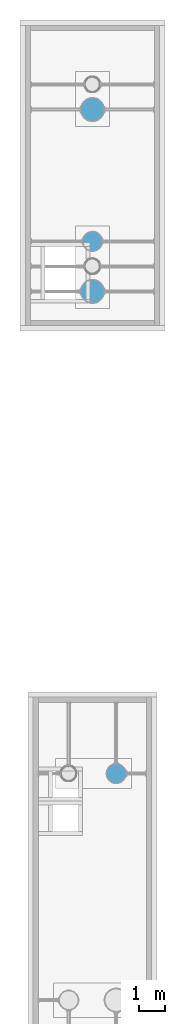
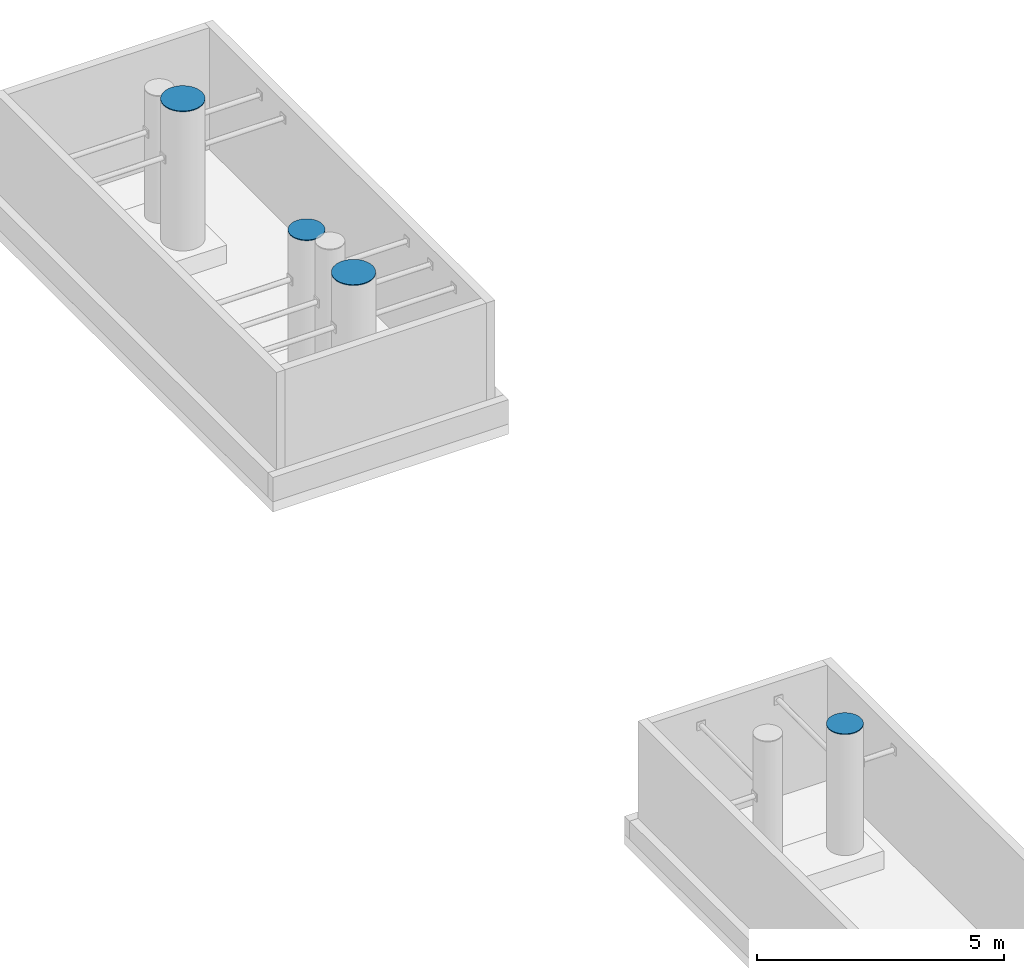
# One storey, part 4 of 7: 4 discrete accessories.
"""IFC4 building model written with IfcOpenShell, lengths in metres."""

from ifc_helpers import new_model, si_unit, direction, frame, origin, place, context, subcontext, project, spatial, polyline, outline, extrude, material, type_object, element, save


model = new_model("IFC4")

# Units and contexts
model_context = context("Model", 3, precision=1e-05, world=origin(), true_north=direction((0.0, 1.0)))
body_context = subcontext(model_context, "Body", "Model", "MODEL_VIEW")
ifc_project = project(units=[si_unit("LENGTHUNIT", "METRE"), si_unit("AREAUNIT", "SQUARE_METRE"), si_unit("VOLUMEUNIT", "CUBIC_METRE"), si_unit("PLANEANGLEUNIT", "RADIAN"), si_unit("MASSUNIT", "GRAM", prefix="KILO")], contexts=[model_context])

# Site, building, storey
site_placement = place(None, origin())
site = spatial("IfcSite", under=ifc_project, at=site_placement, CompositionType="ELEMENT")
building_placement = place(site_placement, origin())
building = spatial("IfcBuilding", under=site, at=building_placement, Name="Basin Gate Institute", CompositionType="ELEMENT")
storey_placement = place(building_placement, frame((0.0, 0.0, 78.60009765625)))
storey = spatial("IfcBuildingStorey", under=building, at=storey_placement, Name="UPPER ROOF", CompositionType="ELEMENT", Elevation=78.60009765625)

# Discrete accessories
ifc_material_1 = material(Name="Structural steel SN490", Category="steel")
discrete_accessory_type_1 = type_object("IfcDiscreteAccessoryType", Name="Exhaust pipe cap plate PC750", PredefinedType="BRACKET", material=ifc_material_1)
discrete_accessory_1_placement = place(storey_placement, frame((0.0, 0.0, 3.679931640625)))
element("IfcDiscreteAccessory", 1, at=discrete_accessory_1_placement, inside=storey, type_object=discrete_accessory_type_1, material=ifc_material_1, Name="Exhaust pipe EX2 WM 4 cap plate", PredefinedType="BRACKET", context=body_context, shape_type="SweptSolid", body=[
    extrude(outline(polyline([(64.72509765625, 71.800048828125), (64.7177734375, 71.873291015625), (64.696533203125, 71.943603515625), (64.661865234375, 72.00830078125), (64.615234375, 72.065185546875), (64.558349609375, 72.11181640625), (64.493408203125, 72.146484375), (64.423095703125, 72.167724609375), (64.35009765625, 72.175048828125), (64.27685546875, 72.167724609375), (64.20654296875, 72.146484375), (64.1416015625, 72.11181640625), (64.084716796875, 72.065185546875), (64.0380859375, 72.00830078125), (64.00341796875, 71.943603515625), (63.982177734375, 71.873291015625), (63.97509765625, 71.800048828125), (63.982177734375, 71.726806640625), (64.00341796875, 71.656494140625), (64.0380859375, 71.591796875), (64.084716796875, 71.534912109375), (64.1416015625, 71.48828125), (64.20654296875, 71.45361328125), (64.27685546875, 71.43212890625), (64.35009765625, 71.425048828125), (64.423095703125, 71.43212890625), (64.493408203125, 71.45361328125), (64.558349609375, 71.48828125), (64.615234375, 71.534912109375), (64.661865234375, 71.591796875), (64.696533203125, 71.656494140625), (64.7177734375, 71.726806640625), (64.72509765625, 71.800048828125)])), origin(), (0.0, 0.0, 1.0), 0.02001953125),
])
discrete_accessory_2_placement = place(storey_placement, frame((0.0, 0.0, 3.929931640625)))
element("IfcDiscreteAccessory", 2, at=discrete_accessory_2_placement, inside=storey, type_object=discrete_accessory_type_1, material=ifc_material_1, Name="Exhaust pipe EX2 WN 3 cap plate", PredefinedType="BRACKET", context=body_context, shape_type="SweptSolid", body=[
    extrude(outline(polyline([(63.824951171875, 92.0), (63.81787109375, 92.0732421875), (63.79638671875, 92.1435546875), (63.76171875, 92.208251953125), (63.715087890625, 92.26513671875), (63.658203125, 92.311767578125), (63.593505859375, 92.346435546875), (63.523193359375, 92.367919921875), (63.449951171875, 92.375), (63.376708984375, 92.367919921875), (63.306396484375, 92.346435546875), (63.24169921875, 92.311767578125), (63.184814453125, 92.26513671875), (63.13818359375, 92.208251953125), (63.103515625, 92.1435546875), (63.082275390625, 92.0732421875), (63.074951171875, 92.0), (63.082275390625, 91.9267578125), (63.103515625, 91.8564453125), (63.13818359375, 91.791748046875), (63.184814453125, 91.73486328125), (63.24169921875, 91.688232421875), (63.306396484375, 91.653564453125), (63.376708984375, 91.632080078125), (63.449951171875, 91.625), (63.523193359375, 91.632080078125), (63.593505859375, 91.653564453125), (63.658203125, 91.688232421875), (63.715087890625, 91.73486328125), (63.76171875, 91.791748046875), (63.79638671875, 91.8564453125), (63.81787109375, 91.9267578125), (63.824951171875, 92.0)])), origin(), (0.0, 0.0, 1.0), 0.02001953125),
])
ifc_material_2 = material(Name="Structural steel SN490", Category="steel")
discrete_accessory_type_2 = type_object("IfcDiscreteAccessoryType", Name="Exhaust pipe cap plate PC900", PredefinedType="BRACKET", material=ifc_material_2)
discrete_accessory_3_placement = place(storey_placement, frame((0.0, 0.0, 4.02978515625)))
element("IfcDiscreteAccessory", 3, at=discrete_accessory_3_placement, inside=storey, type_object=discrete_accessory_type_2, material=ifc_material_2, Name="Exhaust pipe EX3 WN 1 cap plate", PredefinedType="BRACKET", context=body_context, shape_type="SweptSolid", body=[
    extrude(outline(polyline([(63.89990234375, 90.10009765625), (63.891357421875, 90.187744140625), (63.86572265625, 90.272216796875), (63.82421875, 90.35009765625), (63.768310546875, 90.418212890625), (63.699951171875, 90.47412109375), (63.622314453125, 90.515625), (63.537841796875, 90.54150390625), (63.449951171875, 90.550048828125), (63.3623046875, 90.54150390625), (63.27783203125, 90.515625), (63.199951171875, 90.47412109375), (63.1318359375, 90.418212890625), (63.07568359375, 90.35009765625), (63.0341796875, 90.272216796875), (63.008544921875, 90.187744140625), (63.0, 90.10009765625), (63.008544921875, 90.01220703125), (63.0341796875, 89.927734375), (63.07568359375, 89.85009765625), (63.1318359375, 89.78173828125), (63.199951171875, 89.725830078125), (63.27783203125, 89.684326171875), (63.3623046875, 89.65869140625), (63.449951171875, 89.64990234375), (63.537841796875, 89.65869140625), (63.622314453125, 89.684326171875), (63.699951171875, 89.725830078125), (63.768310546875, 89.78173828125), (63.82421875, 89.85009765625), (63.86572265625, 89.927734375), (63.891357421875, 90.01220703125), (63.89990234375, 90.10009765625)])), origin(), (0.0, 0.0, 1.0), 0.02001953125),
])
discrete_accessory_4_placement = place(storey_placement, frame((0.0, 0.0, 4.1298828125)))
element("IfcDiscreteAccessory", 4, at=discrete_accessory_4_placement, inside=storey, type_object=discrete_accessory_type_2, material=ifc_material_2, Name="Exhaust pipe EX3 WN 4 cap plate", PredefinedType="BRACKET", context=body_context, shape_type="SweptSolid", body=[
    extrude(outline(polyline([(63.89990234375, 97.0), (63.891357421875, 97.087890625), (63.86572265625, 97.172119140625), (63.82421875, 97.25), (63.768310546875, 97.318115234375), (63.699951171875, 97.374267578125), (63.622314453125, 97.415771484375), (63.537841796875, 97.44140625), (63.449951171875, 97.449951171875), (63.3623046875, 97.44140625), (63.27783203125, 97.415771484375), (63.199951171875, 97.374267578125), (63.1318359375, 97.318115234375), (63.07568359375, 97.25), (63.0341796875, 97.172119140625), (63.008544921875, 97.087890625), (63.0, 97.0), (63.008544921875, 96.912109375), (63.0341796875, 96.827880859375), (63.07568359375, 96.75), (63.1318359375, 96.681884765625), (63.199951171875, 96.625732421875), (63.27783203125, 96.584228515625), (63.3623046875, 96.55859375), (63.449951171875, 96.550048828125), (63.537841796875, 96.55859375), (63.622314453125, 96.584228515625), (63.699951171875, 96.625732421875), (63.768310546875, 96.681884765625), (63.82421875, 96.75), (63.86572265625, 96.827880859375), (63.891357421875, 96.912109375), (63.89990234375, 97.0)])), origin(), (0.0, 0.0, 1.0), 0.02001953125),
])

save(model, "model.ifc")
